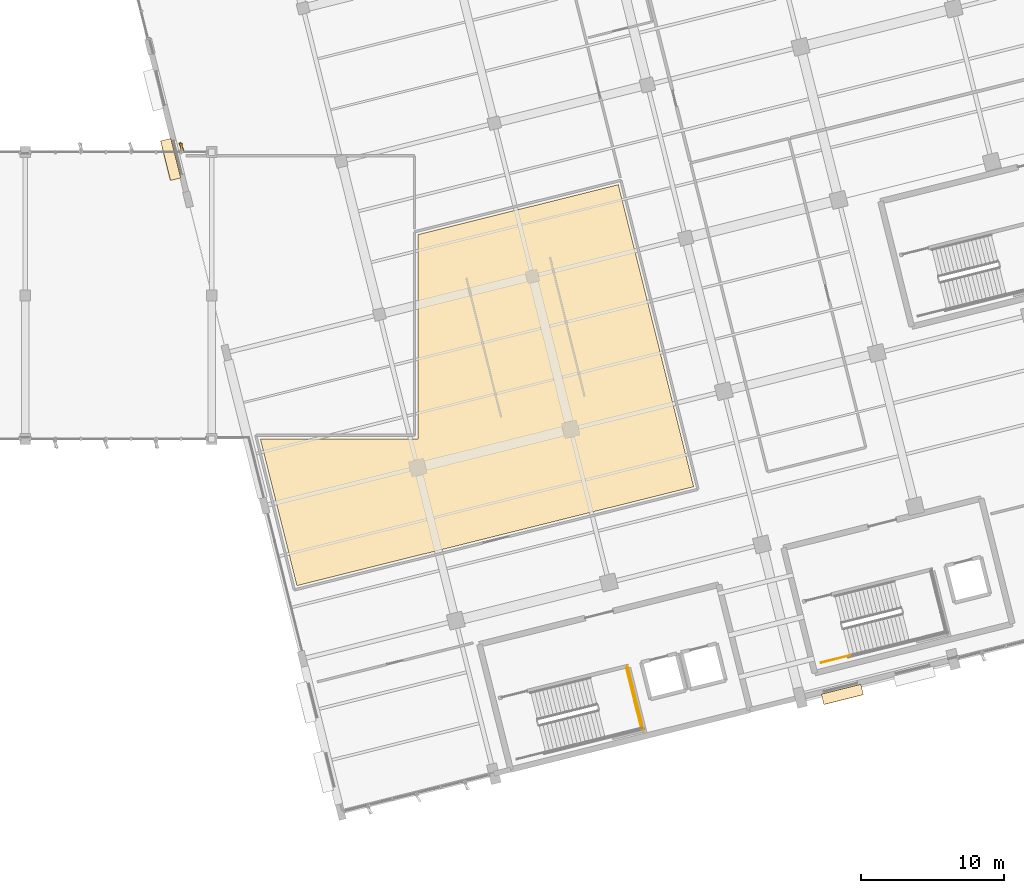
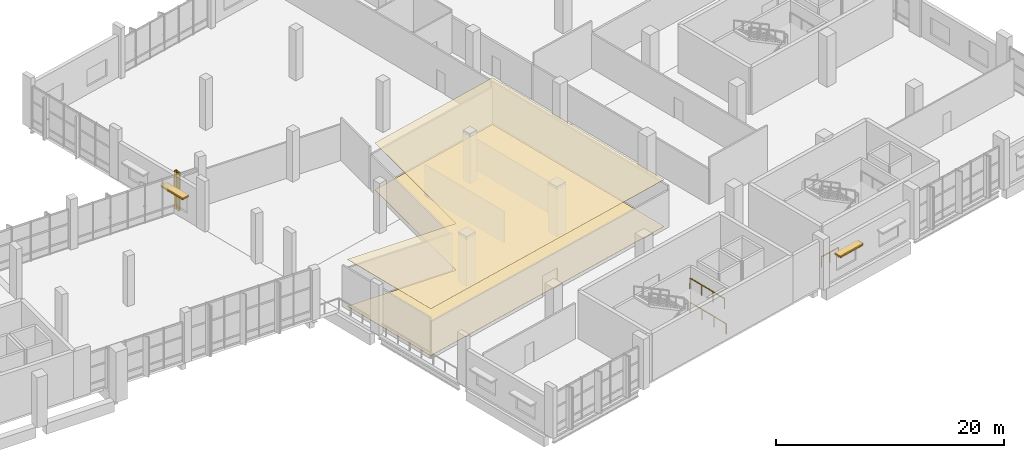
# One storey, part 168 of 176: 5 coverings, 3 railings, 3 shading devices.
"""IFC4 building model written with IfcOpenShell, lengths in metres."""

from ifc_helpers import new_model, si_unit, direction, frame, origin, origin_2d, place, context, subcontext, project, spatial, polyline, rectangle, outline, extrude, material, layer, layer_set, type_object, element, save


model = new_model("IFC4")

# Units and contexts
model_context = context("Model", 3, precision=1e-05, world=origin(), true_north=direction((0.0, 1.0)))
body_context = subcontext(model_context, "Body", "Model", "MODEL_VIEW")
ifc_project = project(units=[si_unit("LENGTHUNIT", "METRE"), si_unit("AREAUNIT", "SQUARE_METRE"), si_unit("VOLUMEUNIT", "CUBIC_METRE"), si_unit("PLANEANGLEUNIT", "RADIAN"), si_unit("MASSUNIT", "GRAM", prefix="KILO")], contexts=[model_context])

# Site, building, storey
site_placement = place(None, origin())
site = spatial("IfcSite", under=ifc_project, at=site_placement, CompositionType="ELEMENT")
building_placement = place(site_placement, origin())
building = spatial("IfcBuilding", under=site, at=building_placement, Name="Khorjan Park Terminus", CompositionType="ELEMENT")
storey_placement = place(building_placement, frame((0.0, 0.0, 6.0)))
storey = spatial("IfcBuildingStorey", under=building, at=storey_placement, Name="L01", CompositionType="ELEMENT", Elevation=6.0)

# Coverings
ifc_material_1 = material(Name="Perforated Acoustic Aluminium Baffle Ceiling", Category="aluminium")
ifc_layer_1 = layer(ifc_material_1, 0.03)
ifc_layer_set_1 = layer_set([ifc_layer_1], Name="Perforated Acoustic Aluminium Baffle Ceiling")
covering_type_1 = type_object("IfcCoveringType", Name="CV-CLG-ACS", PredefinedType="CEILING", material=ifc_layer_set_1)
covering_1_placement = place(storey_placement, frame((0.0, 0.0, 5.025)))
element("IfcCovering", 1, at=covering_1_placement, inside=storey, type_object=covering_type_1, Name="Flush acoustic baffle ceiling AC-60 (L01-CNT)", PredefinedType="CEILING", context=body_context, shape_type="SweptSolid", body=[
    extrude(outline(polyline([(190.5953, 24.6737), (162.9419, 17.7789), (160.391, 28.01), (171.39, 28.01), (171.39, 42.2495), (185.3456, 45.729), (190.5953, 24.6737)])), origin(), (0.0, 0.0, 1.0), 0.03),
])
ifc_material_2 = material(Name="Pigmented Precast GRC", Category="concrete")
ifc_layer_2 = layer(ifc_material_2, 0.16)
ifc_layer_set_2 = layer_set([ifc_layer_2], Name="Pigmented Precast GRC")
covering_type_2 = type_object("IfcCoveringType", Name="CV-FIN-GRC", PredefinedType="CLADDING", material=ifc_layer_set_2)
covering_2_placement = place(storey_placement, frame((154.8893, 48.355, -0.02), z_axis=(0.0, 0.0, 1.0), x_axis=(0.0, -1.0, 0.0)))
element("IfcCovering", 2, at=covering_2_placement, inside=storey, type_object=covering_type_2, Name="Projecting desert-sandstone GRC facade fin CL-FN1 (CW-V5L-N-L01-2-1)", PredefinedType="CLADDING", context=body_context, shape_type="SweptSolid", body=[
    extrude(rectangle(XDim=0.58, YDim=0.16, at=origin_2d()), origin(), (0.0, 0.0, 1.0), 4.095),
])
ifc_material_3 = material(Name="Polished Desert Limestone Terrazzo", Category="masonry")
ifc_layer_3 = layer(ifc_material_3, 0.035)
ifc_layer_set_3 = layer_set([ifc_layer_3], Name="Polished Desert Limestone Terrazzo")
covering_type_3 = type_object("IfcCoveringType", Name="CV-FLR-TRZ", PredefinedType="FLOORING", material=ifc_layer_set_3)
covering_3_placement = place(storey_placement, origin())
element("IfcCovering", 3, at=covering_3_placement, inside=storey, type_object=covering_type_3, Name="Architectural floor finish FF-TRZ (L01-CNT)", PredefinedType="FLOORING", context=body_context, shape_type="SweptSolid", body=[
    extrude(outline(polyline([(190.5953, 24.6737), (162.9419, 17.7789), (160.391, 28.01), (171.39, 28.01), (171.39, 42.2495), (185.3456, 45.729), (190.5953, 24.6737)])), origin(), (0.0, 0.0, 1.0), 0.035),
])
ifc_layer_4 = layer(ifc_material_2, 0.18)
ifc_layer_set_4 = layer_set([ifc_layer_4], Name="Pigmented Precast GRC")
covering_type_4 = type_object("IfcCoveringType", Name="CV-HOOD-GRC", PredefinedType="CLADDING", material=ifc_layer_set_4)
for number, where, z_axis, x_axis, name in (
    (4, (200.9632, 10.1968, 2.73), (0.0, 0.0, 1.0), (0.970293766672, 0.241929755007, 0.0), "Projecting desert-sandstone GRC window eyebrow CL-HD1 (EW-V5-S-L01-B04-1)"),
    (5, (154.1378, 47.489, 2.73), (0.0, 0.0, 1.0), (0.241921955244, -0.970295711405, 0.0), "Projecting desert-sandstone GRC window eyebrow CL-HD1 (EW-V5-W-L01-B02-2)"),
):
    element("IfcCovering", number, at=place(storey_placement, frame(where, z_axis=z_axis, x_axis=x_axis)), inside=storey, type_object=covering_type_4, Name=name, PredefinedType="CLADDING", context=body_context, shape_type="SweptSolid", body=[
        extrude(rectangle(XDim=2.84, YDim=0.74, at=origin_2d()), origin(), (0.0, 0.0, 1.0), 0.16),
    ])

# Railings
ifc_material_4 = material(Name="Steel S355", Category="steel")
railing_type = type_object("IfcRailingType", Name="GR-112", PredefinedType="GUARDRAIL", material=ifc_material_4)
railing_1_placement = place(storey_placement, frame((186.9708, 7.7954, 2.7)))
element("IfcRailing", 6, at=railing_1_placement, inside=storey, type_object=railing_type, Name="L01 ST-03 stair guard 4", PredefinedType="GUARDRAIL", context=body_context, shape_type="SweptSolid", body=[
    extrude(rectangle(XDim=0.048, YDim=0.048, at=origin_2d()), frame((0.0, 0.0, 1.096), z_axis=(-0.241904163851, 0.970300147125, 0.0), x_axis=(-0.970300147125, -0.241904163851, 0.0)), (0.0, 0.0, 1.0), 4.36),
    extrude(rectangle(XDim=0.042, YDim=0.042, at=origin_2d()), origin(), (0.0, 0.0, 1.0), 1.072),
    extrude(rectangle(XDim=0.042, YDim=0.042, at=origin_2d()), frame((-0.3516, 1.4102, 0.0)), (0.0, 0.0, 1.0), 1.072),
    extrude(rectangle(XDim=0.042, YDim=0.042, at=origin_2d()), frame((-0.7031, 2.8203, 0.0)), (0.0, 0.0, 1.0), 1.072),
    extrude(rectangle(XDim=0.042, YDim=0.042, at=origin_2d()), frame((-1.0547, 4.2305, 0.0)), (0.0, 0.0, 1.0), 1.072),
])
railing_2_placement = place(storey_placement, frame((187.0921, 7.7226, 0.0)))
element("IfcRailing", 7, at=railing_2_placement, inside=storey, type_object=railing_type, Name="L01 ST-03 stair guard 9", PredefinedType="GUARDRAIL", context=body_context, shape_type="SweptSolid", body=[
    extrude(rectangle(XDim=0.048, YDim=0.048, at=origin_2d()), frame((0.0, 0.0, 1.096), z_axis=(-0.24193185783, 0.970293242359, 0.0), x_axis=(-0.970293242359, -0.24193185783, 0.0)), (0.0, 0.0, 1.0), 4.56),
    extrude(rectangle(XDim=0.042, YDim=0.042, at=origin_2d()), origin(), (0.0, 0.0, 1.0), 1.072),
    extrude(rectangle(XDim=0.042, YDim=0.042, at=origin_2d()), frame((-0.3677, 1.4748, 0.0)), (0.0, 0.0, 1.0), 1.072),
    extrude(rectangle(XDim=0.042, YDim=0.042, at=origin_2d()), frame((-0.7355, 2.9497, 0.0)), (0.0, 0.0, 1.0), 1.072),
    extrude(rectangle(XDim=0.042, YDim=0.042, at=origin_2d()), frame((-1.1032, 4.4245, 0.0)), (0.0, 0.0, 1.0), 1.072),
])
railing_3_placement = place(storey_placement, frame((199.4765, 12.4078, 0.0)))
element("IfcRailing", 8, at=railing_3_placement, inside=storey, type_object=railing_type, Name="L01 ST-05 stair guard 7", PredefinedType="GUARDRAIL", context=body_context, shape_type="SweptSolid", body=[
    extrude(rectangle(XDim=0.048, YDim=0.048, at=origin_2d()), frame((0.0, 0.0, 1.096), z_axis=(0.97029080484, 0.241941633546, 0.0), x_axis=(-0.241941633546, 0.97029080484, 0.0)), (0.0, 0.0, 1.0), 2.06),
    extrude(rectangle(XDim=0.042, YDim=0.042, at=origin_2d()), origin(), (0.0, 0.0, 1.0), 1.072),
    extrude(rectangle(XDim=0.042, YDim=0.042, at=origin_2d()), frame((0.9994, 0.2492, 0.0)), (0.0, 0.0, 1.0), 1.072),
    extrude(rectangle(XDim=0.042, YDim=0.042, at=origin_2d()), frame((1.9988, 0.4984, 0.0)), (0.0, 0.0, 1.0), 1.072),
])

# Shading devices
ifc_material_5 = material(Name="Anodized Bronze Aluminium", Category="aluminium")
shading_device_type_1 = type_object("IfcShadingDeviceType", Name="SD-FIN-620", PredefinedType="JALOUSIE", material=ifc_material_5)
shading_device_placement = place(storey_placement, frame((154.8893, 48.355, -0.02), z_axis=(0.0, 0.0, 1.0), x_axis=(0.374606593416, -0.927183854567, 0.0)))
element("IfcShadingDevice", 9, at=shading_device_placement, inside=storey, type_object=shading_device_type_1, Name="Angled solar brise-soleil fin SF-62 (CW-V5L-N-L01-2-1)", PredefinedType="JALOUSIE", context=body_context, shape_type="SweptSolid", body=[
    extrude(rectangle(XDim=0.62, YDim=0.14, at=origin_2d()), origin(), (0.0, 0.0, 1.0), 4.095),
])
shading_device_type_2 = type_object("IfcShadingDeviceType", Name="SD-SUN-750", PredefinedType="SHUTTER", material=ifc_material_5)
for number, where, z_axis, x_axis, name in (
    (10, (200.9632, 10.1968, 2.66), (0.0, 0.0, 1.0), (0.970293766672, 0.241929755007, 0.0), "Projecting solar overhang hood SH-75 (EW-V5-S-L01-B04-1)"),
    (11, (154.1378, 47.489, 2.66), (0.0, 0.0, 1.0), (0.241921955244, -0.970295711405, 0.0), "Projecting solar overhang hood SH-75 (EW-V5-W-L01-B02-2)"),
):
    element("IfcShadingDevice", number, at=place(storey_placement, frame(where, z_axis=z_axis, x_axis=x_axis)), inside=storey, type_object=shading_device_type_2, Name=name, PredefinedType="SHUTTER", context=body_context, shape_type="SweptSolid", body=[
        extrude(rectangle(XDim=2.76, YDim=0.76, at=origin_2d()), origin(), (0.0, 0.0, 1.0), 0.14),
    ])

save(model, "model.ifc")
